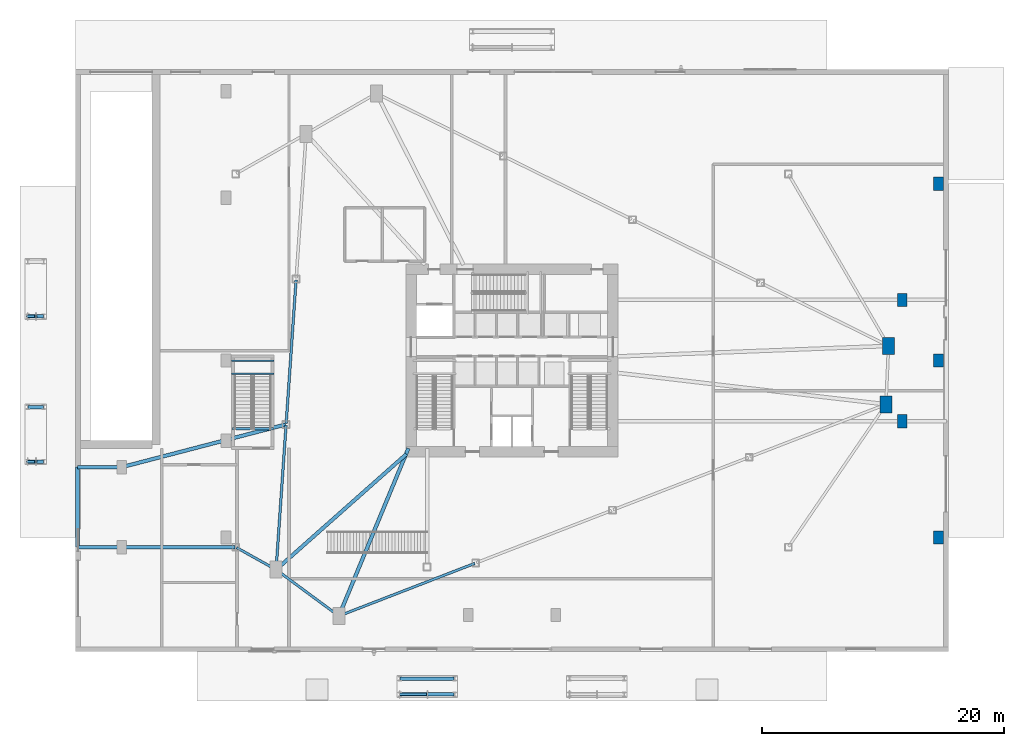
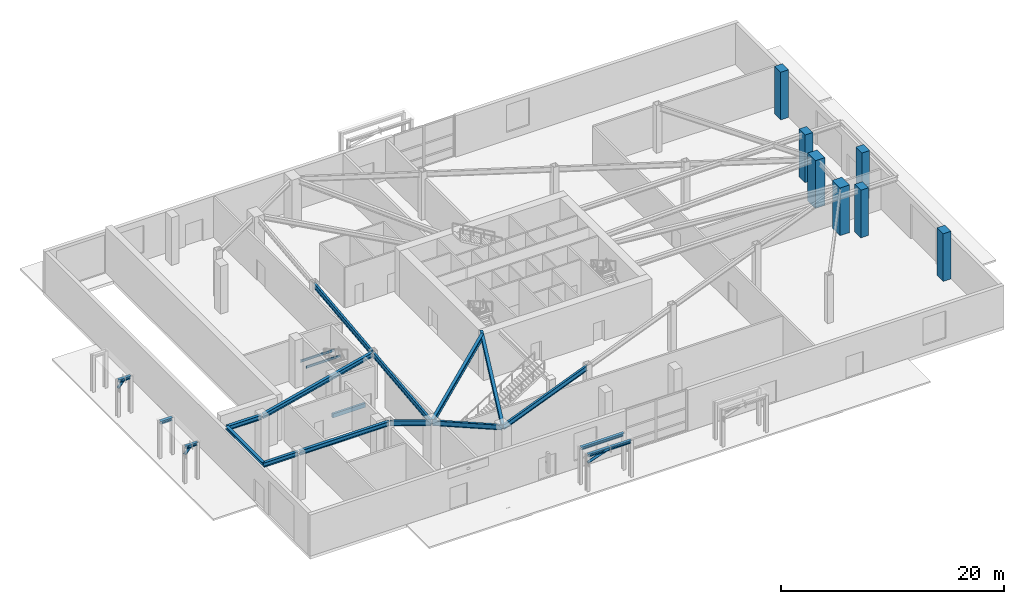
# One storey, part 5 of 22: 20 beams, 7 columns, 3 members.
"""IFC4 building model written with IfcOpenShell, lengths in metres."""

from ifc_helpers import new_model, si_unit, direction, frame, origin, origin_2d, place, context, subcontext, project, spatial, rectangle, hollow_circle, i_section, extrude, source, transform, mapped, material, material_profile, profile_set, type_object, element, save


model = new_model("IFC4")

# Units and contexts
model_context = context("Model", 3, precision=1e-05, world=origin(), true_north=direction((0.0, 1.0)))
body_context = subcontext(model_context, "Body", "Model", "MODEL_VIEW")
ifc_project = project(units=[si_unit("LENGTHUNIT", "METRE"), si_unit("AREAUNIT", "SQUARE_METRE"), si_unit("VOLUMEUNIT", "CUBIC_METRE"), si_unit("PLANEANGLEUNIT", "RADIAN"), si_unit("MASSUNIT", "GRAM", prefix="KILO")], contexts=[model_context])

# Site, building, storey
site_placement = place(None, origin())
site = spatial("IfcSite", under=ifc_project, at=site_placement, CompositionType="ELEMENT")
building_placement = place(site_placement, origin())
building = spatial("IfcBuilding", under=site, at=building_placement, Name="Olszyna Solenne Hotel", CompositionType="ELEMENT")
storey_placement = place(building_placement, origin())
storey = spatial("IfcBuildingStorey", under=building, at=storey_placement, Name="L00", CompositionType="ELEMENT", Elevation=0.0)

# Columns
ifc_material_1 = material(Name="Concrete C60/75", Category="concrete")
ifc_material_profile_1 = material_profile(ifc_material_1, rectangle(XDim=1.0, YDim=1.39990234375, at=origin_2d()), Name="RC 1400x1000", Category="load-bearing")
ifc_profile_set_1 = profile_set([ifc_material_profile_1], Name="Concrete C60/75")
column_type_1 = type_object("IfcColumnType", Name="COL-P1", PredefinedType="COLUMN", material=ifc_profile_set_1)
shared_shape_1 = source(origin(), body_context, "Body", "SweptSolid", [
    extrude(rectangle(XDim=1.0, YDim=1.39990234375, at=origin_2d()), origin(), (0.0, 0.0, 1.0), 5.235107421875),
])
for number, where, z_axis, x_axis, name in (
    (1, (68.858154296875, 22.984619140625, 0.0), (0.0, 0.0, 1.0), (1.0, 0.0, 0.0), "Podium mega-column COL-P1 C-L00-P1-01"),
    (2, (69.072509765625, 27.802978515625, 0.0), (0.0, 0.0, 1.0), (1.0, 0.0, 0.0), "Podium mega-column COL-P1 C-L00-P1-02"),
):
    element("IfcColumn", number, at=place(storey_placement, frame(where, z_axis=z_axis, x_axis=x_axis)), inside=storey, type_object=column_type_1, Name=name, PredefinedType="COLUMN", context=body_context, shape_type="MappedRepresentation", body=[
        mapped(shared_shape_1, transform((0.0, 0.0, 0.0), x_axis=(1.0, 0.0, 0.0), y_axis=(0.0, 1.0, 0.0), z_axis=(0.0, 0.0, 1.0), scale=1.0)),
    ])
ifc_material_2 = material(Name="Concrete C50/60", Category="concrete")
ifc_material_profile_2 = material_profile(ifc_material_2, rectangle(XDim=0.800048828125, YDim=1.10009765625, at=origin_2d()), Name="RC 1100x800", Category="load-bearing")
ifc_profile_set_2 = profile_set([ifc_material_profile_2], Name="Concrete C50/60")
column_type_2 = type_object("IfcColumnType", Name="COL-B1", PredefinedType="COLUMN", material=ifc_profile_set_2)
shared_shape_2 = source(origin(), body_context, "Body", "SweptSolid", [
    extrude(rectangle(XDim=0.800048828125, YDim=1.10009765625, at=origin_2d()), origin(), (0.0, 0.0, 1.0), 5.235107421875),
])
for number, where, z_axis, x_axis, name in (
    (3, (73.199951171875, 12.0, 0.0), (0.0, 0.0, 1.0), (1.0, 0.0, 0.0), "Basement perimeter column COL-B1 C-L00-B1-08"),
    (4, (73.199951171875, 26.60009765625, 0.0), (0.0, 0.0, 1.0), (1.0, 0.0, 0.0), "Basement perimeter column COL-B1 C-L00-B1-09"),
    (5, (73.199951171875, 41.199951171875, 0.0), (0.0, 0.0, 1.0), (1.0, 0.0, 0.0), "Basement perimeter column COL-B1 C-L00-B1-10"),
    (6, (70.199951171875, 21.60009765625, 0.0), (0.0, 0.0, 1.0), (1.0, 0.0, 0.0), "Terrace support RC column COL-B1 C-L00-TC-098"),
    (7, (70.199951171875, 31.60009765625, 0.0), (0.0, 0.0, 1.0), (1.0, 0.0, 0.0), "Terrace support RC column COL-B1 C-L00-TC-099"),
):
    element("IfcColumn", number, at=place(storey_placement, frame(where, z_axis=z_axis, x_axis=x_axis)), inside=storey, type_object=column_type_2, Name=name, PredefinedType="COLUMN", context=body_context, shape_type="MappedRepresentation", body=[
        mapped(shared_shape_2, transform((0.0, 0.0, 0.0), x_axis=(1.0, 0.0, 0.0), y_axis=(0.0, 1.0, 0.0), z_axis=(0.0, 0.0, 1.0), scale=1.0)),
    ])

# Beams
ifc_material_3 = material(Name="Steel S355J2", Category="steel")
ifc_material_profile_3 = material_profile(ifc_material_3, i_section(OverallWidth=0.300048828125, OverallDepth=0.489990234375, WebThickness=0.011962890625, FlangeThickness=0.02294921875, at=origin_2d()), Name="HEA 500", Category="load-bearing")
ifc_profile_set_3 = profile_set([ifc_material_profile_3], Name="Steel S355J2")
beam_type_1 = type_object("IfcBeamType", Name="BM-G1", PredefinedType="BEAM", material=ifc_profile_set_3)
shared_shape_3 = source(origin(), body_context, "Body", "SweptSolid", [
    extrude(i_section(OverallWidth=0.300048828125, OverallDepth=0.489990234375, WebThickness=0.011962890625, FlangeThickness=0.02294921875, at=origin_2d()), origin(), (0.0, 0.0, 1.0), 14.293701171875),
])
beam_1_placement = place(storey_placement, frame((18.591552734375, 9.394287109375, 4.8349609375), z_axis=(0.748292597606, 0.663368817754, 0.0), x_axis=(-0.663368817754, 0.748292597606, 0.0)))
element("IfcBeam", 8, at=beam_1_placement, inside=storey, type_object=beam_type_1, Name="Podium radial girder BM-G1 B-L00-0045", PredefinedType="BEAM", context=body_context, shape_type="MappedRepresentation", body=[
    mapped(shared_shape_3, transform((0.0, 0.0, 0.0), x_axis=(1.0, 0.0, 0.0), y_axis=(0.0, 1.0, 0.0), z_axis=(0.0, 0.0, 1.0), scale=1.0)),
])
ifc_material_profile_4 = material_profile(ifc_material_3, i_section(OverallWidth=0.2099609375, OverallDepth=0.550048828125, WebThickness=0.010986328125, FlangeThickness=0.01708984375, at=origin_2d()), Name="IPE 550", Category="load-bearing")
ifc_profile_set_4 = profile_set([ifc_material_profile_4], Name="Steel S355J2")
beam_type_2 = type_object("IfcBeamType", Name="BM-F2", PredefinedType="BEAM", material=ifc_profile_set_4)
shared_shape_4 = source(origin(), body_context, "Body", "SweptSolid", [
    extrude(i_section(OverallWidth=0.2099609375, OverallDepth=0.550048828125, WebThickness=0.010986328125, FlangeThickness=0.01708984375, at=origin_2d()), origin(), (0.0, 0.0, 1.0), 3.655029296875),
])
beam_2_placement = place(storey_placement, frame((15.27001953125, 11.160888671875, 4.804931640625), z_axis=(0.873286271012, -0.487207439251, 0.0), x_axis=(0.487207439251, 0.873286271012, 0.0)))
element("IfcBeam", 9, at=beam_2_placement, inside=storey, type_object=beam_type_2, Name="Podium terrace girder BM-F2 B-L00-0059", PredefinedType="BEAM", context=body_context, shape_type="MappedRepresentation", body=[
    mapped(shared_shape_4, transform((0.0, 0.0, 0.0), x_axis=(1.0, 0.0, 0.0), y_axis=(0.0, 1.0, 0.0), z_axis=(0.0, 0.0, 1.0), scale=1.0)),
])
shared_shape_5 = source(origin(), body_context, "Body", "SweptSolid", [
    extrude(i_section(OverallWidth=0.2099609375, OverallDepth=0.550048828125, WebThickness=0.010986328125, FlangeThickness=0.01708984375, at=origin_2d()), origin(), (0.0, 0.0, 1.0), 11.85791015625),
])
for number, where, z_axis, x_axis, name in (
    (10, (20.181396484375, 33.240234375, 4.804931640625), (-0.068869217947, -0.997625696752, 0.0), (0.997625696752, -0.068869217947, 0.0), "Podium ring girder BM-F2 BRG-L00-42"),
    (11, (19.353759765625, 21.250732421875, 4.804931640625), (-0.068869217947, -0.997625696752, 0.0), (0.997625696752, -0.068869217947, 0.0), "Podium ring girder BM-F2 BRG-L00-43"),
):
    element("IfcBeam", number, at=place(storey_placement, frame(where, z_axis=z_axis, x_axis=x_axis)), inside=storey, type_object=beam_type_2, Name=name, PredefinedType="BEAM", context=body_context, shape_type="MappedRepresentation", body=[
        mapped(shared_shape_5, transform((0.0, 0.0, 0.0), x_axis=(1.0, 0.0, 0.0), y_axis=(0.0, 1.0, 0.0), z_axis=(0.0, 0.0, 1.0), scale=1.0)),
    ])
shared_shape_6 = source(origin(), body_context, "Body", "SweptSolid", [
    extrude(i_section(OverallWidth=0.2099609375, OverallDepth=0.550048828125, WebThickness=0.010986328125, FlangeThickness=0.01708984375, at=origin_2d()), origin(), (0.0, 0.0, 1.0), 6.27880859375),
])
beam_3_placement = place(storey_placement, frame((18.59619140625, 9.293701171875, 4.804931640625), z_axis=(0.804881840641, -0.593435103955, 0.0), x_axis=(0.593435103955, 0.804881840641, 0.0)))
element("IfcBeam", 12, at=beam_3_placement, inside=storey, type_object=beam_type_2, Name="Podium ring girder BM-F2 B-L00-0044", PredefinedType="BEAM", context=body_context, shape_type="MappedRepresentation", body=[
    mapped(shared_shape_6, transform((0.0, 0.0, 0.0), x_axis=(1.0, 0.0, 0.0), y_axis=(0.0, 1.0, 0.0), z_axis=(0.0, 0.0, 1.0), scale=1.0)),
])
shared_shape_7 = source(origin(), body_context, "Body", "SweptSolid", [
    extrude(i_section(OverallWidth=0.2099609375, OverallDepth=0.550048828125, WebThickness=0.010986328125, FlangeThickness=0.01708984375, at=origin_2d()), origin(), (0.0, 0.0, 1.0), 11.941162109375),
])
beam_4_placement = place(storey_placement, frame((23.788818359375, 5.549072265625, 4.804931640625), z_axis=(0.932645120915, 0.360795064314, 0.0), x_axis=(-0.360795064314, 0.932645120915, 0.0)))
element("IfcBeam", 13, at=beam_4_placement, inside=storey, type_object=beam_type_2, Name="Podium ring girder BM-F2 B-L00-0046", PredefinedType="BEAM", context=body_context, shape_type="MappedRepresentation", body=[
    mapped(shared_shape_7, transform((0.0, 0.0, 0.0), x_axis=(1.0, 0.0, 0.0), y_axis=(0.0, 1.0, 0.0), z_axis=(0.0, 0.0, 1.0), scale=1.0)),
])
shared_shape_8 = source(origin(), body_context, "Body", "SweptSolid", [
    extrude(i_section(OverallWidth=0.300048828125, OverallDepth=0.489990234375, WebThickness=0.011962890625, FlangeThickness=0.02294921875, at=origin_2d()), origin(), (0.0, 0.0, 1.0), 14.912109375),
])
beam_5_placement = place(storey_placement, frame((23.7373046875, 5.57568359375, 4.8349609375), z_axis=(0.383089643103, 0.923711169873, 0.0), x_axis=(-0.923711169873, 0.383089643103, 0.0)))
element("IfcBeam", 14, at=beam_5_placement, inside=storey, type_object=beam_type_1, Name="Lobby feature stair West girder BM-G1 B-L00-0047", PredefinedType="BEAM", context=body_context, shape_type="MappedRepresentation", body=[
    mapped(shared_shape_8, transform((0.0, 0.0, 0.0), x_axis=(1.0, 0.0, 0.0), y_axis=(0.0, 1.0, 0.0), z_axis=(0.0, 0.0, 1.0), scale=1.0)),
])
shared_shape_9 = source(origin(), body_context, "Body", "SweptSolid", [
    extrude(i_section(OverallWidth=0.300048828125, OverallDepth=0.489990234375, WebThickness=0.011962890625, FlangeThickness=0.02294921875, at=origin_2d()), origin(), (0.0, 0.0, 1.0), 9.27978515625),
])
beam_6_placement = place(storey_placement, frame((5.860107421875, 11.199951171875, 4.8349609375), z_axis=(1.0, 0.0, 0.0), x_axis=(0.0, 1.0, 0.0)))
element("IfcBeam", 15, at=beam_6_placement, inside=storey, type_object=beam_type_1, Name="Terrace West interior back-span girder BM-G1 B-L00-0049", PredefinedType="BEAM", context=body_context, shape_type="MappedRepresentation", body=[
    mapped(shared_shape_9, transform((0.0, 0.0, 0.0), x_axis=(1.0, 0.0, 0.0), y_axis=(0.0, 1.0, 0.0), z_axis=(0.0, 0.0, 1.0), scale=1.0)),
])
shared_shape_10 = source(origin(), body_context, "Body", "SweptSolid", [
    extrude(i_section(OverallWidth=0.300048828125, OverallDepth=0.489990234375, WebThickness=0.011962890625, FlangeThickness=0.02294921875, at=origin_2d()), origin(), (0.0, 0.0, 1.0), 3.590087890625),
])
for number, where, z_axis, x_axis, name in (
    (16, (2.14990234375, 11.199951171875, 4.8349609375), (1.0, 0.0, 0.0), (0.0, 1.0, 0.0), "Terrace West overhang girder BM-G1 B-L00-0050"),
    (17, (2.14990234375, 17.800048828125, 4.8349609375), (1.0, 0.0, 0.0), (0.0, 1.0, 0.0), "Terrace West overhang girder BM-G1 B-L00-0052"),
):
    element("IfcBeam", number, at=place(storey_placement, frame(where, z_axis=z_axis, x_axis=x_axis)), inside=storey, type_object=beam_type_1, Name=name, PredefinedType="BEAM", context=body_context, shape_type="MappedRepresentation", body=[
        mapped(shared_shape_10, transform((0.0, 0.0, 0.0), x_axis=(1.0, 0.0, 0.0), y_axis=(0.0, 1.0, 0.0), z_axis=(0.0, 0.0, 1.0), scale=1.0)),
    ])
shared_shape_11 = source(origin(), body_context, "Body", "SweptSolid", [
    extrude(i_section(OverallWidth=0.300048828125, OverallDepth=0.489990234375, WebThickness=0.011962890625, FlangeThickness=0.02294921875, at=origin_2d()), origin(), (0.0, 0.0, 1.0), 13.891357421875),
])
beam_7_placement = place(storey_placement, frame((5.858154296875, 17.815185546875, 4.8349609375), z_axis=(0.967734190158, 0.251973286677, 0.0), x_axis=(-0.251973286677, 0.967734190158, 0.0)))
element("IfcBeam", 18, at=beam_7_placement, inside=storey, type_object=beam_type_1, Name="Terrace West interior back-span girder BM-G1 B-L00-0051", PredefinedType="BEAM", context=body_context, shape_type="MappedRepresentation", body=[
    mapped(shared_shape_11, transform((0.0, 0.0, 0.0), x_axis=(1.0, 0.0, 0.0), y_axis=(0.0, 1.0, 0.0), z_axis=(0.0, 0.0, 1.0), scale=1.0)),
])
ifc_material_profile_5 = material_profile(ifc_material_3, i_section(OverallWidth=0.300048828125, OverallDepth=0.31005859375, WebThickness=0.009033203125, FlangeThickness=0.015380859375, at=origin_2d()), Name="HEA 320", Category="load-bearing")
ifc_profile_set_5 = profile_set([ifc_material_profile_5], Name="Steel S355J2")
beam_type_3 = type_object("IfcBeamType", Name="BM-G3", PredefinedType="BEAM", material=ifc_profile_set_5)
shared_shape_12 = source(origin(), body_context, "Body", "SweptSolid", [
    extrude(i_section(OverallWidth=0.300048828125, OverallDepth=0.31005859375, WebThickness=0.009033203125, FlangeThickness=0.015380859375, at=origin_2d()), origin(), (0.0, 0.0, 1.0), 6.60009765625),
])
beam_8_placement = place(storey_placement, frame((2.14990234375, 11.199951171875, 4.925048828125), z_axis=(0.0, 1.0, 0.0), x_axis=(-1.0, 0.0, 0.0)))
element("IfcBeam", 19, at=beam_8_placement, inside=storey, type_object=beam_type_3, Name="Terrace West rim beam BM-G3 B-L00-0053", PredefinedType="BEAM", context=body_context, shape_type="MappedRepresentation", body=[
    mapped(shared_shape_12, transform((0.0, 0.0, 0.0), x_axis=(1.0, 0.0, 0.0), y_axis=(0.0, 1.0, 0.0), z_axis=(0.0, 0.0, 1.0), scale=1.0)),
])
shared_shape_13 = source(origin(), body_context, "Body", "SweptSolid", [
    extrude(i_section(OverallWidth=0.300048828125, OverallDepth=0.31005859375, WebThickness=0.009033203125, FlangeThickness=0.015380859375, at=origin_2d()), origin(), (0.0, 0.0, 1.0), 4.4599609375),
])
for number, where, z_axis, x_axis, name in (
    (20, (28.77001953125, -0.949951171875, 3.885009765625), (1.0, 0.0, 0.0), (0.0, 1.0, 0.0), "Canopy frame beam BM-G3 B-L00-0145"),
    (21, (33.22998046875, 0.35009765625, 3.885009765625), (-1.0, 0.0, 0.0), (0.0, -1.0, 0.0), "Canopy frame beam BM-G3 B-L00-0146"),
):
    element("IfcBeam", number, at=place(storey_placement, frame(where, z_axis=z_axis, x_axis=x_axis)), inside=storey, type_object=beam_type_3, Name=name, PredefinedType="BEAM", context=body_context, shape_type="MappedRepresentation", body=[
        mapped(shared_shape_13, transform((0.0, 0.0, 0.0), x_axis=(1.0, 0.0, 0.0), y_axis=(0.0, 1.0, 0.0), z_axis=(0.0, 0.0, 1.0), scale=1.0)),
    ])

# Member
ifc_material_profile_6 = material_profile(ifc_material_3, hollow_circle(Radius=0.136474609375, WallThickness=0.010009765625, at=origin_2d()), Name="CHS 273x10", Category="load-bearing")
ifc_profile_set_6 = profile_set([ifc_material_profile_6], Name="Steel S355J2")
member_type = type_object("IfcMemberType", Name="ST-CN1", PredefinedType="STRUT", material=ifc_profile_set_6)
shared_shape_14 = source(origin(), body_context, "Body", "SweptSolid", [
    extrude(hollow_circle(Radius=0.136474609375, WallThickness=0.010009765625, at=origin_2d()), origin(), (0.0, 0.0, 1.0), 2.38134765625),
])
member_placement = place(storey_placement, frame((28.75, -0.949951171875, 3.10009765625), z_axis=(0.944864116305, 0.0, 0.327462672252), x_axis=(0.0, 1.0, 0.0)))
element("IfcMember", 22, at=member_placement, inside=storey, type_object=member_type, Name="Canopy knee brace strut ST-CN1 M-CN-CN-S1", PredefinedType="STRUT", context=body_context, shape_type="MappedRepresentation", body=[
    mapped(shared_shape_14, transform((0.0, 0.0, 0.0), x_axis=(1.0, 0.0, 0.0), y_axis=(0.0, 1.0, 0.0), z_axis=(0.0, 0.0, 1.0), scale=1.0)),
])

# Beams
shared_shape_15 = source(origin(), body_context, "Body", "SweptSolid", [
    extrude(i_section(OverallWidth=0.300048828125, OverallDepth=0.31005859375, WebThickness=0.009033203125, FlangeThickness=0.015380859375, at=origin_2d()), origin(), (0.0, 0.0, 1.0), 1.260009765625),
])
for number, where, z_axis, x_axis, name in (
    (23, (-1.929931640625, 18.25, 3.885009765625), (1.0, 0.0, 0.0), (0.0, 1.0, 0.0), "Canopy frame beam BM-G3 B-L00-0151"),
    (24, (-0.669921875, 22.75, 3.885009765625), (-1.0, 0.0, 0.0), (0.0, -1.0, 0.0), "Canopy frame beam BM-G3 B-L00-0152"),
    (25, (-1.929931640625, 30.25, 3.885009765625), (1.0, 0.0, 0.0), (0.0, 1.0, 0.0), "Canopy frame beam BM-G3 B-L00-0153"),
):
    element("IfcBeam", number, at=place(storey_placement, frame(where, z_axis=z_axis, x_axis=x_axis)), inside=storey, type_object=beam_type_3, Name=name, PredefinedType="BEAM", context=body_context, shape_type="MappedRepresentation", body=[
        mapped(shared_shape_15, transform((0.0, 0.0, 0.0), x_axis=(1.0, 0.0, 0.0), y_axis=(0.0, 1.0, 0.0), z_axis=(0.0, 0.0, 1.0), scale=1.0)),
    ])

# Members
shared_shape_16 = source(origin(), body_context, "Body", "SweptSolid", [
    extrude(hollow_circle(Radius=0.136474609375, WallThickness=0.010009765625, at=origin_2d()), origin(), (0.0, 0.0, 1.0), 1.01513671875),
])
for number, where, z_axis, x_axis, name in (
    (26, (-1.949951171875, 18.25, 3.10009765625), (0.640231711456, 0.0, 0.768181850635), (0.0, 1.0, 0.0), "Canopy knee brace strut ST-CN1 M-CN-CN-W1"),
    (27, (-1.949951171875, 30.25, 3.10009765625), (0.640231711456, 0.0, 0.768181850635), (0.0, 1.0, 0.0), "Canopy knee brace strut ST-CN1 M-CN-CN-W2"),
):
    element("IfcMember", number, at=place(storey_placement, frame(where, z_axis=z_axis, x_axis=x_axis)), inside=storey, type_object=member_type, Name=name, PredefinedType="STRUT", context=body_context, shape_type="MappedRepresentation", body=[
        mapped(shared_shape_16, transform((0.0, 0.0, 0.0), x_axis=(1.0, 0.0, 0.0), y_axis=(0.0, 1.0, 0.0), z_axis=(0.0, 0.0, 1.0), scale=1.0)),
    ])

# Beams
ifc_material_profile_7 = material_profile(ifc_material_3, i_section(OverallWidth=0.1201171875, OverallDepth=0.239990234375, WebThickness=0.006103515625, FlangeThickness=0.009765625, at=origin_2d()), Name="IPE 240", Category="load-bearing")
ifc_profile_set_7 = profile_set([ifc_material_profile_7], Name="Steel S355J2")
beam_type_4 = type_object("IfcBeamType", Name="JS-03", PredefinedType="JOIST", material=ifc_profile_set_7)
shared_shape_17 = source(origin(), body_context, "Body", "SweptSolid", [
    extrude(i_section(OverallWidth=0.1201171875, OverallDepth=0.239990234375, WebThickness=0.006103515625, FlangeThickness=0.009765625, at=origin_2d()), origin(), (0.0, 0.0, 1.0), 3.539794921875),
])
for number, where, z_axis, x_axis, name in (
    (28, (18.3798828125, 25.52001953125, 2.375), (-1.0, 0.0, 0.0), (0.0, -1.0, 0.0), "Stair landing support beam JS-03 SLB-ST4-0718"),
    (29, (18.3798828125, 26.580078125, 2.375), (-1.0, 0.0, 0.0), (0.0, -1.0, 0.0), "Stair landing support beam JS-03 SLB-ST4-0719"),
):
    element("IfcBeam", number, at=place(storey_placement, frame(where, z_axis=z_axis, x_axis=x_axis)), inside=storey, type_object=beam_type_4, Name=name, PredefinedType="JOIST", context=body_context, shape_type="MappedRepresentation", body=[
        mapped(shared_shape_17, transform((0.0, 0.0, 0.0), x_axis=(1.0, 0.0, 0.0), y_axis=(0.0, 1.0, 0.0), z_axis=(0.0, 0.0, 1.0), scale=1.0)),
    ])
ifc_material_profile_8 = material_profile(ifc_material_2, rectangle(XDim=0.219970703125, YDim=0.43994140625, at=origin_2d()), Name="RC 220x440", Category="load-bearing")
ifc_profile_set_8 = profile_set([ifc_material_profile_8], Name="Concrete C50/60")
beam_type_5 = type_object("IfcBeamType", Name="BM-ST1", PredefinedType="BEAM", material=ifc_profile_set_8)
shared_shape_18 = source(origin(), body_context, "Body", "SweptSolid", [
    extrude(rectangle(XDim=0.219970703125, YDim=0.43994140625, at=origin_2d()), origin(), (0.0, 0.0, 1.0), 3.380126953125),
])
beam_9_placement = place(storey_placement, frame((18.300048828125, 20.97998046875, -0.205078125), z_axis=(-1.0, 0.0, 0.0), x_axis=(0.0, -1.0, 0.0)))
element("IfcBeam", 30, at=beam_9_placement, inside=storey, type_object=beam_type_5, Name="Concrete stair trimmer beam BM-ST1 SHB-ST4-0726", PredefinedType="BEAM", context=body_context, shape_type="MappedRepresentation", body=[
    mapped(shared_shape_18, transform((0.0, 0.0, 0.0), x_axis=(1.0, 0.0, 0.0), y_axis=(0.0, 1.0, 0.0), z_axis=(0.0, 0.0, 1.0), scale=1.0)),
])

save(model, "model.ifc")
